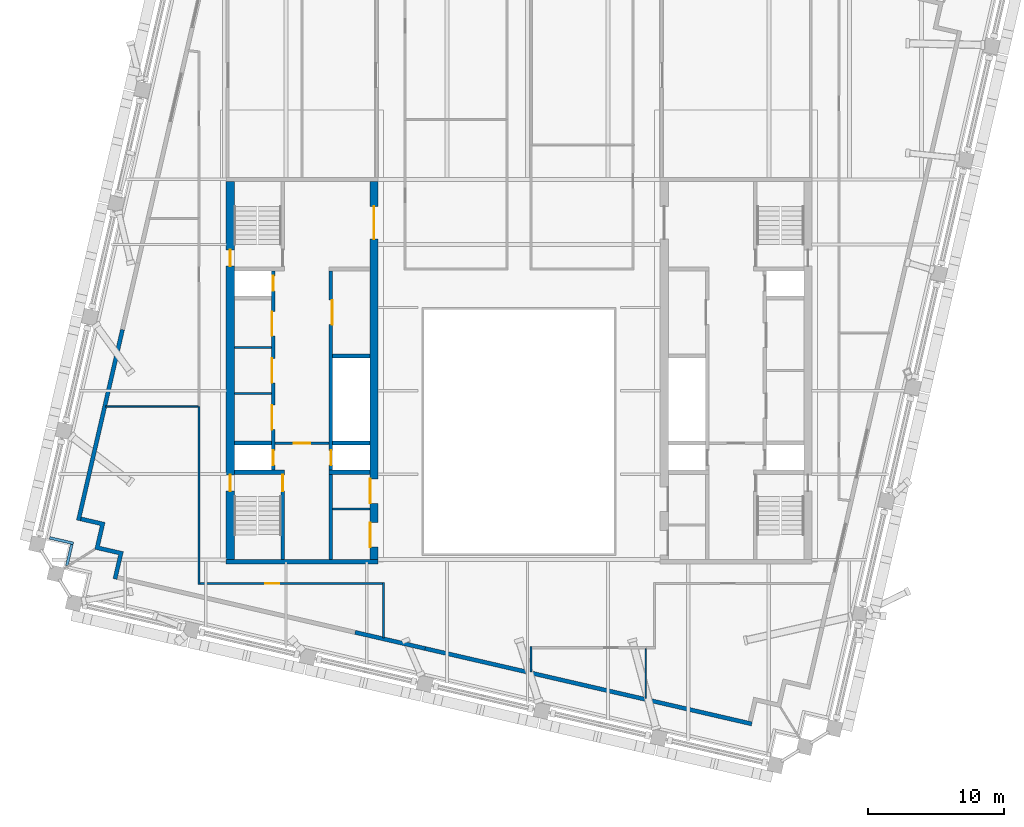
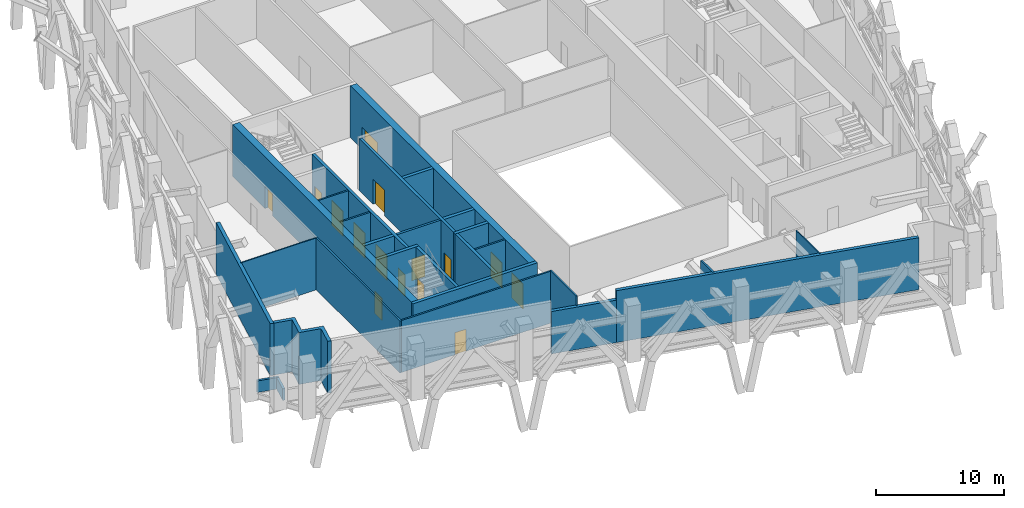
# One storey, part 6 of 19: 27 walls, 15 doors, 15 openings.
"""IFC4 building model written with IfcOpenShell, lengths in metres."""

from ifc_helpers import new_model, si_unit, direction, frame, frame_2d, origin, place, context, subcontext, project, spatial, polyline, rectangle, outline, extrude, material, layer, layer_set, type_object, element, fill, save


model = new_model("IFC4")

# Units and contexts
model_context = context("Model", 3, precision=1e-05, world=origin(), true_north=direction((0.0, 1.0)))
body_context = subcontext(model_context, "Body", "Model", "MODEL_VIEW")
ifc_project = project(units=[si_unit("LENGTHUNIT", "METRE"), si_unit("AREAUNIT", "SQUARE_METRE"), si_unit("VOLUMEUNIT", "CUBIC_METRE"), si_unit("PLANEANGLEUNIT", "RADIAN"), si_unit("MASSUNIT", "GRAM", prefix="KILO")], contexts=[model_context])

# Site, building, storey
site_placement = place(None, origin())
site = spatial("IfcSite", under=ifc_project, at=site_placement, CompositionType="ELEMENT")
building_placement = place(site_placement, origin())
building = spatial("IfcBuilding", under=site, at=building_placement, Name="Ogive Exchange Tower", CompositionType="ELEMENT")
storey_placement = place(building_placement, frame((0.0, 0.0, 297.60009765625)))
storey = spatial("IfcBuildingStorey", under=building, at=storey_placement, Name="L65", CompositionType="ELEMENT", Elevation=297.60009765625)

# Walls
ifc_material_1 = material(Name="Gypsum board partition")
ifc_layer_1 = layer(ifc_material_1, 0.14990234375)
ifc_layer_set_1 = layer_set([ifc_layer_1], Name="Core room partition 150 gypsum")
wall_type_1 = type_object("IfcWallType", Name="Core room partition 150 gypsum", PredefinedType="PARTITIONING", material=ifc_layer_set_1)
for number, where, z_axis, x_axis, name in (
    (1, (-21.0, 9.800048828125, 0.0), (0.0, 0.0, 1.0), (1.0, 0.0, 0.0), "W row A bay partition 1-1"),
    (2, (-21.0, 13.199951171875, 0.0), (0.0, 0.0, 1.0), (1.0, 0.0, 0.0), "W row A bay partition 1-2"),
    (3, (-13.75, 1.300048828125, 0.0), (0.0, 0.0, 1.0), (1.0, 0.0, 0.0), "W south room partition"),
):
    element("IfcWall", number, at=place(storey_placement, frame(where, z_axis=z_axis, x_axis=x_axis)), inside=storey, type_object=wall_type_1, Name=name, PredefinedType="PARTITIONING", context=body_context, shape_type="SweptSolid", body=[
        extrude(rectangle(XDim=2.75, YDim=0.14990234375, at=frame_2d((1.375, 0.0))), origin(), (0.0, 0.0, 1.0), 4.949951171875),
    ])
ifc_material_2 = material(Name="Fire partition EI 60 150")
ifc_layer_2 = layer(ifc_material_2, 0.14990234375)
ifc_layer_set_2 = layer_set([ifc_layer_2], Name="Fire partition EI 60 150")
wall_type_2 = type_object("IfcWallType", Name="Fire partition EI 60 150", PredefinedType="PARTITIONING", material=ifc_layer_set_2)
wall_1_placement = place(storey_placement, frame((-23.60009765625, -4.27490234375, 0.0), z_axis=(0.0, 0.0, 1.0), x_axis=(0.0, 1.0, 0.0)))
element("IfcWall", 4, at=wall_1_placement, inside=storey, type_object=wall_type_2, Name="L65-PWL-001", PredefinedType="PARTITIONING", context=body_context, shape_type="SweptSolid", body=[
    extrude(rectangle(XDim=13.135009765625, YDim=0.14990234375, at=frame_2d((6.5673828125, 0.0))), origin(), (0.0, 0.0, 1.0), 4.949951171875),
])
wall_2_placement = place(storey_placement, frame((-10.0, -8.216064453125, 0.0), z_axis=(0.0, 0.0, 1.0), x_axis=(0.0, 1.0, 0.0)))
element("IfcWall", 5, at=wall_2_placement, inside=storey, type_object=wall_type_2, Name="L65-PWL-008", PredefinedType="PARTITIONING", context=body_context, shape_type="SweptSolid", body=[
    extrude(rectangle(XDim=4.091064453125, YDim=0.14990234375, at=frame_2d((2.04541015625, 0.0))), origin(), (0.0, 0.0, 1.0), 4.949951171875),
])

# Wall, opening, door
wall_3_placement = place(storey_placement, frame((-10.074951171875, -4.199951171875, 0.0), z_axis=(0.0, 0.0, 1.0), x_axis=(-1.0, 0.0, 0.0)))
wall_3 = element("IfcWall", 6, at=wall_3_placement, inside=storey, type_object=wall_type_2, Name="L65-PWL-009", PredefinedType="PARTITIONING", context=body_context, shape_type="SweptSolid", body=[
    extrude(rectangle(XDim=13.449951171875, YDim=0.14990234375, at=frame_2d((6.72509765625, 0.0))), origin(), (0.0, 0.0, 1.0), 4.949951171875),
])
opening_1_placement = place(wall_3_placement, frame((7.625, 0.0, 0.0)))
opening_1 = element("IfcOpeningElement", 7, at=opening_1_placement, cuts=wall_3, Name="Opening L65-I07", PredefinedType="OPENING", context=body_context, shape_type="SweptSolid", body=[
    extrude(rectangle(XDim=1.0, YDim=2.10009765625, at=frame_2d((0.5, 1.050048828125))), frame((0.0, 0.0849609375, 0.0), z_axis=(0.0, -1.0, 0.0), x_axis=(1.0, 0.0, 0.0)), (0.0, 0.0, 1.0), 0.169921875),
])
ifc_material_3 = material(Name="Fire door FD 30S 1000 x 2100")
door_type_1 = type_object("IfcDoorType", Name="Fire door FD 30S 1000 x 2100", OperationType="NOTDEFINED", PredefinedType="DOOR", material=ifc_material_3)
door_1_placement = place(opening_1_placement, origin())
door_1 = element("IfcDoor", 8, at=door_1_placement, inside=storey, type_object=door_type_1, Name="L65-IDR-007", ObjectType="DT3", OperationType="SINGLE_SWING_LEFT", OverallHeight=2.10009765625, OverallWidth=1.0, PredefinedType="DOOR", context=body_context, shape_type="SweptSolid", body=[
    extrude(rectangle(XDim=1.0, YDim=2.10009765625, at=frame_2d((0.5, 1.050048828125))), frame((0.0, 0.02490234375, 0.0), z_axis=(0.0, -1.0, 0.0), x_axis=(1.0, 0.0, 0.0)), (0.0, 0.0, 1.0), 0.050048828125),
])
fill(opening_1, door_1)

# Walls
wall_4_placement = place(storey_placement, frame((0.8798828125, -8.864990234375, 0.0), z_axis=(0.0, 0.0, 1.0), x_axis=(0.0, -1.0, 0.0)))
element("IfcWall", 9, at=wall_4_placement, inside=storey, type_object=wall_type_2, Name="L65-PWL-023", PredefinedType="PARTITIONING", context=body_context, shape_type="SweptSolid", body=[
    extrude(rectangle(XDim=1.863037109375, YDim=0.14990234375, at=frame_2d((0.931640625, 0.0))), origin(), (0.0, 0.0, 1.0), 4.949951171875),
])
ifc_material_4 = material(Name="Precast concrete C40/50", Category="concrete")
ifc_layer_3 = layer(ifc_material_4, 0.300048828125)
ifc_layer_set_3 = layer_set([ifc_layer_3], Name="Limestone-faced wall 300")
wall_type_3 = type_object("IfcWallType", Name="Limestone-faced wall 300", PredefinedType="STANDARD", material=ifc_layer_set_3)
wall_5_placement = place(storey_placement, origin())
element("IfcWall", 10, at=wall_5_placement, inside=storey, type_object=wall_type_3, Name="External corner wall C4", PredefinedType="STANDARD", context=body_context, shape_type="SweptSolid", body=[
    extrude(outline(polyline([(-31.291015625, -1.67822265625), (-30.88623046875, 0.07568359375), (-32.34765625, 0.4130859375), (-32.2802734375, 0.705322265625), (-30.5263671875, 0.300537109375), (-30.931396484375, -1.453369140625), (-29.177490234375, -1.8583984375), (-29.64990234375, -3.904541015625), (-29.942138671875, -3.8369140625), (-29.537109375, -2.0830078125), (-31.291015625, -1.67822265625)])), origin(), (0.0, 0.0, 1.0), 4.949951171875),
])
wall_6_placement = place(storey_placement, frame((-12.093017578125, -7.8037109375, 0.0), z_axis=(0.0, 0.0, 1.0), x_axis=(0.974367901354, -0.224960424989, 0.0)))
element("IfcWall", 11, at=wall_6_placement, inside=storey, type_object=wall_type_3, Name="External wall S1", PredefinedType="STANDARD", context=body_context, shape_type="SweptSolid", body=[
    extrude(rectangle(XDim=5.30029296875, YDim=0.300048828125, at=frame_2d((2.650146484375, 0.0))), origin(), (0.0, 0.0, 1.0), 4.0498046875),
])
wall_7_placement = place(storey_placement, frame((-6.928466796875, -8.99609375, 0.0), z_axis=(0.0, 0.0, 1.0), x_axis=(0.974370214698, -0.224950404997, 0.0)))
element("IfcWall", 12, at=wall_7_placement, inside=storey, type_object=wall_type_3, Name="External wall S1", PredefinedType="STANDARD", context=body_context, shape_type="SweptSolid", body=[
    extrude(rectangle(XDim=24.7158203125, YDim=0.300048828125, at=frame_2d((12.35791015625, 0.0))), origin(), (0.0, 0.0, 1.0), 4.949951171875),
])
wall_8_placement = place(storey_placement, frame((-29.24609375, 14.514404296875, 0.0), z_axis=(0.0, 0.0, 1.0), x_axis=(-0.224953365503, -0.974369531209, 0.0)))
element("IfcWall", 13, at=wall_8_placement, inside=storey, type_object=wall_type_3, Name="External wall W4", PredefinedType="STANDARD", context=body_context, shape_type="SweptSolid", body=[
    extrude(rectangle(XDim=14.437744140625, YDim=0.300048828125, at=frame_2d((7.21875, 0.0))), origin(), (0.0, 0.0, 1.0), 4.949951171875),
])
ifc_material_5 = material(Name="Partition 100 gypsum")
ifc_layer_4 = layer(ifc_material_5, 0.10009765625)
ifc_layer_set_4 = layer_set([ifc_layer_4], Name="Partition 100 gypsum")
wall_type_4 = type_object("IfcWallType", Name="Partition 100 gypsum", PredefinedType="PARTITIONING", material=ifc_layer_set_4)
wall_9_placement = place(storey_placement, frame((-23.675048828125, 8.860107421875, 0.0), z_axis=(0.0, 0.0, 1.0), x_axis=(-1.0, 0.0, 0.0)))
element("IfcWall", 14, at=wall_9_placement, inside=storey, type_object=wall_type_4, Name="L65-PWL-002", PredefinedType="PARTITIONING", context=body_context, shape_type="SweptSolid", body=[
    extrude(rectangle(XDim=6.804931640625, YDim=0.10009765625, at=frame_2d((3.40234375, 0.0))), origin(), (0.0, 0.0, 1.0), 4.949951171875),
])
wall_10_placement = place(storey_placement, frame((9.340087890625, -9.014892578125, 0.0), z_axis=(0.0, 0.0, 1.0), x_axis=(0.0, -1.0, 0.0)))
element("IfcWall", 15, at=wall_10_placement, inside=storey, type_object=wall_type_4, Name="L65-PWL-032", PredefinedType="PARTITIONING", context=body_context, shape_type="SweptSolid", body=[
    extrude(rectangle(XDim=3.666015625, YDim=0.10009765625, at=frame_2d((1.8330078125, 0.0))), origin(), (0.0, 0.0, 1.0), 4.949951171875),
])
ifc_layer_5 = layer(ifc_material_4, 0.199951171875)
ifc_layer_set_5 = layer_set([ifc_layer_5], Name="Plant deck parapet 200")
wall_type_5 = type_object("IfcWallType", Name="Plant deck parapet 200", PredefinedType="STANDARD", material=ifc_layer_set_5)
wall_11_placement = place(storey_placement, frame((-34.617431640625, -0.83837890625, -0.050048828125), z_axis=(0.0, 0.0, 1.0), x_axis=(0.974356896201, -0.225008086135, 0.0)))
element("IfcWall", 16, at=wall_11_placement, inside=storey, type_object=wall_type_5, Name="Plant deck parapet 17", PredefinedType="STANDARD", context=body_context, shape_type="SweptSolid", body=[
    extrude(rectangle(XDim=1.800048828125, YDim=0.199951171875, at=frame_2d((0.89990234375, 0.0))), origin(), (0.0, 0.0, 1.0), 1.099853515625),
])
wall_12_placement = place(storey_placement, frame((-32.9833984375, -1.318359375, -0.050048828125), z_axis=(0.0, 0.0, 1.0), x_axis=(-0.22502584423, -0.974352795156, 0.0)))
element("IfcWall", 17, at=wall_12_placement, inside=storey, type_object=wall_type_5, Name="Plant deck parapet 18", PredefinedType="STANDARD", context=body_context, shape_type="SweptSolid", body=[
    extrude(rectangle(XDim=1.60791015625, YDim=0.199951171875, at=frame_2d((0.803955078125, 0.0))), origin(), (0.0, 0.0, 1.0), 1.099853515625),
])

# Wall, opening, door
ifc_material_6 = material(Name="Concrete C70/85", Category="concrete")
ifc_layer_6 = layer(ifc_material_6, 0.199951171875)
ifc_layer_set_6 = layer_set([ifc_layer_6], Name="RC core wall 200 C70/85")
wall_type_6 = type_object("IfcWallType", Name="RC core wall 200 C70/85", PredefinedType="SHEAR", material=ifc_layer_set_6)
wall_13_placement = place(storey_placement, frame((-18.0, 6.142822265625, 0.0), z_axis=(0.0, 0.0, 1.0), x_axis=(1.0, 0.0, 0.0)))
wall_13 = element("IfcWall", 18, at=wall_13_placement, inside=storey, type_object=wall_type_6, Name="W firefighting lobby wall", PredefinedType="SHEAR", context=body_context, shape_type="SweptSolid", body=[
    extrude(rectangle(XDim=4.0, YDim=0.199951171875, at=frame_2d((2.0, 0.0))), origin(), (0.0, 0.0, 1.0), 4.949951171875),
])
opening_2_placement = place(wall_13_placement, frame((1.39990234375, 0.0, 0.0)))
opening_2 = element("IfcOpeningElement", 19, at=opening_2_placement, cuts=wall_13, Name="Opening L65-C08", PredefinedType="OPENING", context=body_context, shape_type="SweptSolid", body=[
    extrude(rectangle(XDim=1.199951171875, YDim=2.10009765625, at=frame_2d((0.60009765625, 1.050048828125))), frame((0.0, 0.10986328125, 0.0), z_axis=(0.0, -1.0, 0.0), x_axis=(1.0, 0.0, 0.0)), (0.0, 0.0, 1.0), 0.219970703125),
])
ifc_material_7 = material(Name="Steel fire door", Category="steel")
door_type_2 = type_object("IfcDoorType", Name="Firefighting lobby door FD60 1200 x 2100", OperationType="NOTDEFINED", PredefinedType="DOOR", material=ifc_material_7)
door_2_placement = place(opening_2_placement, frame((1.199951171875, 0.0, 0.0), z_axis=(0.0, 0.0, 1.0), x_axis=(-1.0, 0.0, 0.0)))
door_2 = element("IfcDoor", 20, at=door_2_placement, inside=storey, type_object=door_type_2, Name="Firefighting lobby door", ObjectType="CD3", OperationType="SINGLE_SWING_LEFT", OverallHeight=2.10009765625, OverallWidth=1.199951171875, PredefinedType="DOOR", context=body_context, shape_type="SweptSolid", body=[
    extrude(rectangle(XDim=1.199951171875, YDim=2.10009765625, at=frame_2d((0.60009765625, 1.050048828125))), frame((0.0, 0.02490234375, 0.0), z_axis=(0.0, -1.0, 0.0), x_axis=(1.0, 0.0, 0.0)), (0.0, 0.0, 1.0), 0.050048828125),
])
fill(opening_2, door_2)

ifc_layer_7 = layer(ifc_material_6, 0.25)
ifc_layer_set_7 = layer_set([ifc_layer_7], Name="RC core wall 250 C70/85")
wall_type_7 = type_object("IfcWallType", Name="RC core wall 250 C70/85", PredefinedType="SHEAR", material=ifc_layer_set_7)
wall_14_placement = place(storey_placement, frame((-17.425048828125, -2.449951171875, 0.0), z_axis=(0.0, 0.0, 1.0), x_axis=(0.0, 1.0, 0.0)))
wall_14 = element("IfcWall", 21, at=wall_14_placement, inside=storey, type_object=wall_type_7, Name="W stair S front wall", PredefinedType="SHEAR", context=body_context, shape_type="SweptSolid", body=[
    extrude(rectangle(XDim=6.300048828125, YDim=0.25, at=frame_2d((3.14990234375, 0.0))), origin(), (0.0, 0.0, 1.0), 4.949951171875),
])
opening_3_placement = place(wall_14_placement, frame((5.050048828125, 0.0, 0.0)))
opening_3 = element("IfcOpeningElement", 22, at=opening_3_placement, cuts=wall_14, Name="Opening L65-C10", PredefinedType="OPENING", context=body_context, shape_type="SweptSolid", body=[
    extrude(rectangle(XDim=1.199951171875, YDim=2.10009765625, at=frame_2d((0.60009765625, 1.050048828125))), frame((0.0, 0.135009765625, 0.0), z_axis=(0.0, -1.0, 0.0), x_axis=(1.0, 0.0, 0.0)), (0.0, 0.0, 1.0), 0.27001953125),
])
door_type_3 = type_object("IfcDoorType", Name="Stair door FD90 1200 x 2100", OperationType="NOTDEFINED", PredefinedType="DOOR", material=ifc_material_7)
door_3_placement = place(opening_3_placement, origin())
door_3 = element("IfcDoor", 23, at=door_3_placement, inside=storey, type_object=door_type_3, Name="Stair door", ObjectType="CD5", OperationType="SINGLE_SWING_LEFT", OverallHeight=2.10009765625, OverallWidth=1.199951171875, PredefinedType="DOOR", context=body_context, shape_type="SweptSolid", body=[
    extrude(rectangle(XDim=1.199951171875, YDim=2.10009765625, at=frame_2d((0.60009765625, 1.050048828125))), frame((0.0, 0.02490234375, 0.0), z_axis=(0.0, -1.0, 0.0), x_axis=(1.0, 0.0, 0.0)), (0.0, 0.0, 1.0), 0.050048828125),
])
fill(opening_3, door_3)

# Wall, openings, doors
wall_15_placement = place(storey_placement, frame((-18.125, 4.14990234375, 0.0), z_axis=(0.0, 0.0, 1.0), x_axis=(0.0, 1.0, 0.0)))
wall_15 = element("IfcWall", 24, at=wall_15_placement, inside=storey, type_object=wall_type_7, Name="W row A front wall", PredefinedType="SHEAR", context=body_context, shape_type="SweptSolid", body=[
    extrude(rectangle(XDim=14.7001953125, YDim=0.25, at=frame_2d((7.35009765625, 0.0))), origin(), (0.0, 0.0, 1.0), 4.949951171875),
])
opening_4_placement = place(wall_15_placement, frame((2.996337890625, 0.0, 0.0)))
opening_4 = element("IfcOpeningElement", 25, at=opening_4_placement, cuts=wall_15, Name="Opening L65-C01", PredefinedType="OPENING", context=body_context, shape_type="SweptSolid", body=[
    extrude(rectangle(XDim=1.800048828125, YDim=2.39990234375, at=frame_2d((0.89990234375, 1.199951171875))), frame((0.0, 0.135009765625, 0.0), z_axis=(0.0, -1.0, 0.0), x_axis=(1.0, 0.0, 0.0)), (0.0, 0.0, 1.0), 0.27001953125),
])
opening_5_placement = place(wall_15_placement, frame((6.449951171875, 0.0, 0.0)))
opening_5 = element("IfcOpeningElement", 26, at=opening_5_placement, cuts=wall_15, Name="Opening L65-C02", PredefinedType="OPENING", context=body_context, shape_type="SweptSolid", body=[
    extrude(rectangle(XDim=1.800048828125, YDim=2.39990234375, at=frame_2d((0.89990234375, 1.199951171875))), frame((0.0, 0.135009765625, 0.0), z_axis=(0.0, -1.0, 0.0), x_axis=(1.0, 0.0, 0.0)), (0.0, 0.0, 1.0), 0.27001953125),
])
opening_6_placement = place(wall_15_placement, frame((9.903564453125, 0.0, 0.0)))
opening_6 = element("IfcOpeningElement", 27, at=opening_6_placement, cuts=wall_15, Name="Opening L65-C03", PredefinedType="OPENING", context=body_context, shape_type="SweptSolid", body=[
    extrude(rectangle(XDim=1.800048828125, YDim=2.39990234375, at=frame_2d((0.89990234375, 1.199951171875))), frame((0.0, 0.135009765625, 0.0), z_axis=(0.0, -1.0, 0.0), x_axis=(1.0, 0.0, 0.0)), (0.0, 0.0, 1.0), 0.27001953125),
])
opening_7_placement = place(wall_15_placement, frame((0.371337890625, 0.0, 0.0)))
opening_7 = element("IfcOpeningElement", 28, at=opening_7_placement, cuts=wall_15, Name="Opening L65-C04", PredefinedType="OPENING", context=body_context, shape_type="SweptSolid", body=[
    extrude(rectangle(XDim=1.10009765625, YDim=2.10009765625, at=frame_2d((0.550048828125, 1.050048828125))), frame((0.0, 0.135009765625, 0.0), z_axis=(0.0, -1.0, 0.0), x_axis=(1.0, 0.0, 0.0)), (0.0, 0.0, 1.0), 0.27001953125),
])
opening_8_placement = place(wall_15_placement, frame((13.228515625, 0.0, 0.0)))
opening_8 = element("IfcOpeningElement", 29, at=opening_8_placement, cuts=wall_15, Name="Opening L65-C05", PredefinedType="OPENING", context=body_context, shape_type="SweptSolid", body=[
    extrude(rectangle(XDim=1.10009765625, YDim=2.10009765625, at=frame_2d((0.550048828125, 1.050048828125))), frame((0.0, 0.135009765625, 0.0), z_axis=(0.0, -1.0, 0.0), x_axis=(1.0, 0.0, 0.0)), (0.0, 0.0, 1.0), 0.27001953125),
])
ifc_material_8 = material(Name="Stainless steel", Category="steel")
door_type_4 = type_object("IfcDoorType", Name="Lift landing door FD90 1100 x 2100", OperationType="SLIDING_TO_LEFT", PredefinedType="DOOR", material=ifc_material_8)
door_4_placement = place(opening_7_placement, origin())
door_4 = element("IfcDoor", 30, at=door_4_placement, inside=storey, type_object=door_type_4, Name="Lift landing door FF1", ObjectType="LD", OperationType="SLIDING_TO_LEFT", OverallHeight=2.10009765625, OverallWidth=1.10009765625, PredefinedType="DOOR", context=body_context, shape_type="SweptSolid", body=[
    extrude(rectangle(XDim=1.10009765625, YDim=2.10009765625, at=frame_2d((0.550048828125, 1.050048828125))), frame((0.0, 0.02490234375, 0.0), z_axis=(0.0, -1.0, 0.0), x_axis=(1.0, 0.0, 0.0)), (0.0, 0.0, 1.0), 0.050048828125),
])
fill(opening_7, door_4)
door_5_placement = place(opening_8_placement, origin())
door_5 = element("IfcDoor", 31, at=door_5_placement, inside=storey, type_object=door_type_4, Name="Lift landing door W-SH2", ObjectType="LD", OperationType="SLIDING_TO_LEFT", OverallHeight=2.10009765625, OverallWidth=1.10009765625, PredefinedType="DOOR", context=body_context, shape_type="SweptSolid", body=[
    extrude(rectangle(XDim=1.10009765625, YDim=2.10009765625, at=frame_2d((0.550048828125, 1.050048828125))), frame((0.0, 0.02490234375, 0.0), z_axis=(0.0, -1.0, 0.0), x_axis=(1.0, 0.0, 0.0)), (0.0, 0.0, 1.0), 0.050048828125),
])
fill(opening_8, door_5)
door_type_5 = type_object("IfcDoorType", Name="Plant room door FD60 1800 x 2400", OperationType="DOUBLE_DOOR_SINGLE_SWING", PredefinedType="DOOR", material=ifc_material_7)
door_6_placement = place(opening_4_placement, origin())
door_6 = element("IfcDoor", 32, at=door_6_placement, inside=storey, type_object=door_type_5, Name="Plant room door", ObjectType="CD1", OperationType="DOUBLE_DOOR_SINGLE_SWING", OverallHeight=2.39990234375, OverallWidth=1.800048828125, PredefinedType="DOOR", context=body_context, shape_type="SweptSolid", body=[
    extrude(rectangle(XDim=1.800048828125, YDim=2.39990234375, at=frame_2d((0.89990234375, 1.199951171875))), frame((0.0, 0.125, 0.0), z_axis=(0.0, -1.0, 0.0), x_axis=(1.0, 0.0, 0.0)), (0.0, 0.0, 1.0), 0.050048828125),
])
fill(opening_4, door_6)
door_7_placement = place(opening_5_placement, origin())
door_7 = element("IfcDoor", 33, at=door_7_placement, inside=storey, type_object=door_type_5, Name="Plant room door", ObjectType="CD1", OperationType="DOUBLE_DOOR_SINGLE_SWING", OverallHeight=2.39990234375, OverallWidth=1.800048828125, PredefinedType="DOOR", context=body_context, shape_type="SweptSolid", body=[
    extrude(rectangle(XDim=1.800048828125, YDim=2.39990234375, at=frame_2d((0.89990234375, 1.199951171875))), frame((0.0, 0.125, 0.0), z_axis=(0.0, -1.0, 0.0), x_axis=(1.0, 0.0, 0.0)), (0.0, 0.0, 1.0), 0.050048828125),
])
fill(opening_5, door_7)
door_8_placement = place(opening_6_placement, origin())
door_8 = element("IfcDoor", 34, at=door_8_placement, inside=storey, type_object=door_type_5, Name="Plant room door", ObjectType="CD1", OperationType="DOUBLE_DOOR_SINGLE_SWING", OverallHeight=2.39990234375, OverallWidth=1.800048828125, PredefinedType="DOOR", context=body_context, shape_type="SweptSolid", body=[
    extrude(rectangle(XDim=1.800048828125, YDim=2.39990234375, at=frame_2d((0.89990234375, 1.199951171875))), frame((0.0, 0.125, 0.0), z_axis=(0.0, -1.0, 0.0), x_axis=(1.0, 0.0, 0.0)), (0.0, 0.0, 1.0), 0.050048828125),
])
fill(opening_6, door_8)

wall_16_placement = place(storey_placement, frame((-13.875, -2.449951171875, 0.0), z_axis=(0.0, 0.0, 1.0), x_axis=(0.0, 1.0, 0.0)))
wall_16 = element("IfcWall", 35, at=wall_16_placement, inside=storey, type_object=wall_type_7, Name="W row B front wall", PredefinedType="SHEAR", context=body_context, shape_type="SweptSolid", body=[
    extrude(rectangle(XDim=21.300048828125, YDim=0.25, at=frame_2d((10.64990234375, 0.0))), origin(), (0.0, 0.0, 1.0), 4.949951171875),
])
opening_9_placement = place(wall_16_placement, frame((17.335693359375, 0.0, 0.0)))
opening_9 = element("IfcOpeningElement", 36, at=opening_9_placement, cuts=wall_16, Name="Opening L65-C06", PredefinedType="OPENING", context=body_context, shape_type="SweptSolid", body=[
    extrude(rectangle(XDim=1.800048828125, YDim=2.39990234375, at=frame_2d((0.89990234375, 1.199951171875))), frame((0.0, 0.135009765625, 0.0), z_axis=(0.0, -1.0, 0.0), x_axis=(1.0, 0.0, 0.0)), (0.0, 0.0, 1.0), 0.27001953125),
])
opening_10_placement = place(wall_16_placement, frame((6.971435546875, 0.0, 0.0)))
opening_10 = element("IfcOpeningElement", 37, at=opening_10_placement, cuts=wall_16, Name="Opening L65-C07", PredefinedType="OPENING", context=body_context, shape_type="SweptSolid", body=[
    extrude(rectangle(XDim=1.10009765625, YDim=2.10009765625, at=frame_2d((0.550048828125, 1.050048828125))), frame((0.0, 0.135009765625, 0.0), z_axis=(0.0, -1.0, 0.0), x_axis=(1.0, 0.0, 0.0)), (0.0, 0.0, 1.0), 0.27001953125),
])
door_9_placement = place(opening_10_placement, origin())
door_9 = element("IfcDoor", 38, at=door_9_placement, inside=storey, type_object=door_type_4, Name="Lift landing door SV1", ObjectType="LD", OperationType="SLIDING_TO_LEFT", OverallHeight=2.10009765625, OverallWidth=1.10009765625, PredefinedType="DOOR", context=body_context, shape_type="SweptSolid", body=[
    extrude(rectangle(XDim=1.10009765625, YDim=2.10009765625, at=frame_2d((0.550048828125, 1.050048828125))), frame((0.0, 0.02490234375, 0.0), z_axis=(0.0, -1.0, 0.0), x_axis=(1.0, 0.0, 0.0)), (0.0, 0.0, 1.0), 0.050048828125),
])
fill(opening_10, door_9)
door_10_placement = place(opening_9_placement, frame((1.800048828125, -0.2001953125, 0.0), z_axis=(0.0, 0.0, 1.0), x_axis=(-1.0, 0.0, 0.0)))
door_10 = element("IfcDoor", 39, at=door_10_placement, inside=storey, type_object=door_type_5, Name="Plant room door", ObjectType="CD1", OperationType="DOUBLE_DOOR_SINGLE_SWING", OverallHeight=2.39990234375, OverallWidth=1.800048828125, PredefinedType="DOOR", context=body_context, shape_type="SweptSolid", body=[
    extrude(rectangle(XDim=1.800048828125, YDim=2.39990234375, at=frame_2d((0.89990234375, 1.199951171875))), frame((0.0, -0.0751953125, 0.0), z_axis=(0.0, -1.0, 0.0), x_axis=(1.0, 0.0, 0.0)), (0.0, 0.0, 1.0), 0.050048828125),
])
fill(opening_9, door_10)

# Walls
ifc_layer_8 = layer(ifc_material_6, 0.300048828125)
ifc_layer_set_8 = layer_set([ifc_layer_8], Name="RC core wall 300 C70/85")
wall_type_8 = type_object("IfcWallType", Name="RC core wall 300 C70/85", PredefinedType="SHEAR", material=ifc_layer_set_8)
wall_17_placement = place(storey_placement, frame((-21.60009765625, -2.60009765625, 0.0), z_axis=(0.0, 0.0, 1.0), x_axis=(1.0, 0.0, 0.0)))
element("IfcWall", 40, at=wall_17_placement, inside=storey, type_object=wall_type_8, Name="W south end wall", PredefinedType="SHEAR", context=body_context, shape_type="SweptSolid", body=[
    extrude(rectangle(XDim=11.2001953125, YDim=0.300048828125, at=frame_2d((5.60009765625, 0.0))), origin(), (0.0, 0.0, 1.0), 4.949951171875),
])
wall_18_placement = place(storey_placement, frame((-21.0, 4.0, 0.0), z_axis=(0.0, 0.0, 1.0), x_axis=(1.0, 0.0, 0.0)))
element("IfcWall", 41, at=wall_18_placement, inside=storey, type_object=wall_type_8, Name="W stair S north wall", PredefinedType="SHEAR", context=body_context, shape_type="SweptSolid", body=[
    extrude(rectangle(XDim=3.699951171875, YDim=0.300048828125, at=frame_2d((1.85009765625, 0.0))), origin(), (0.0, 0.0, 1.0), 4.949951171875),
])
wall_19_placement = place(storey_placement, frame((-21.0, 6.142822265625, 0.0), z_axis=(0.0, 0.0, 1.0), x_axis=(1.0, 0.0, 0.0)))
element("IfcWall", 42, at=wall_19_placement, inside=storey, type_object=wall_type_8, Name="W row A divider 1", PredefinedType="SHEAR", context=body_context, shape_type="SweptSolid", body=[
    extrude(rectangle(XDim=2.75, YDim=0.300048828125, at=frame_2d((1.375, 0.0))), origin(), (0.0, 0.0, 1.0), 4.949951171875),
])
wall_20_placement = place(storey_placement, frame((-14.0, 4.0, 0.0), z_axis=(0.0, 0.0, 1.0), x_axis=(1.0, 0.0, 0.0)))
element("IfcWall", 43, at=wall_20_placement, inside=storey, type_object=wall_type_8, Name="W row B divider 0", PredefinedType="SHEAR", context=body_context, shape_type="SweptSolid", body=[
    extrude(rectangle(XDim=3.0, YDim=0.300048828125, at=frame_2d((1.5, 0.0))), origin(), (0.0, 0.0, 1.0), 4.949951171875),
])
for number, where, z_axis, x_axis, name in (
    (44, (-13.75, 6.142822265625, 0.0), (0.0, 0.0, 1.0), (1.0, 0.0, 0.0), "W row B divider 1"),
    (45, (-13.75, 12.5712890625, 0.0), (0.0, 0.0, 1.0), (1.0, 0.0, 0.0), "W row B divider 4"),
):
    element("IfcWall", number, at=place(storey_placement, frame(where, z_axis=z_axis, x_axis=x_axis)), inside=storey, type_object=wall_type_8, Name=name, PredefinedType="SHEAR", context=body_context, shape_type="SweptSolid", body=[
        extrude(rectangle(XDim=2.75, YDim=0.300048828125, at=frame_2d((1.375, 0.0))), origin(), (0.0, 0.0, 1.0), 4.949951171875),
    ])

# Wall, openings, doors
ifc_layer_9 = layer(ifc_material_6, 0.60009765625)
ifc_layer_set_9 = layer_set([ifc_layer_9], Name="RC core wall 600 C70/85")
wall_type_9 = type_object("IfcWallType", Name="RC core wall 600 C70/85", PredefinedType="SHEAR", material=ifc_layer_set_9)
wall_21_placement = place(storey_placement, frame((-21.300048828125, -2.449951171875, 0.0), z_axis=(0.0, 0.0, 1.0), x_axis=(0.0, 1.0, 0.0)))
wall_21 = element("IfcWall", 46, at=wall_21_placement, inside=storey, type_object=wall_type_9, Name="W outer wall", PredefinedType="SHEAR", context=body_context, shape_type="SweptSolid", body=[
    extrude(rectangle(XDim=27.89990234375, YDim=0.60009765625, at=frame_2d((13.949951171875, 0.0))), origin(), (0.0, 0.0, 1.0), 4.949951171875),
])
opening_11_placement = place(wall_21_placement, frame((5.050048828125, 0.0, 0.0)))
opening_11 = element("IfcOpeningElement", 47, at=opening_11_placement, cuts=wall_21, Name="Opening L65-C11", PredefinedType="OPENING", context=body_context, shape_type="SweptSolid", body=[
    extrude(rectangle(XDim=1.199951171875, YDim=2.10009765625, at=frame_2d((0.60009765625, 1.050048828125))), frame((0.0, 0.31005859375, 0.0), z_axis=(0.0, -1.0, 0.0), x_axis=(1.0, 0.0, 0.0)), (0.0, 0.0, 1.0), 0.6201171875),
])
opening_12_placement = place(wall_21_placement, frame((21.64990234375, 0.0, 0.0)))
opening_12 = element("IfcOpeningElement", 48, at=opening_12_placement, cuts=wall_21, Name="Opening L65-C13", PredefinedType="OPENING", context=body_context, shape_type="SweptSolid", body=[
    extrude(rectangle(XDim=1.199951171875, YDim=2.10009765625, at=frame_2d((0.60009765625, 1.050048828125))), frame((0.0, 0.31005859375, 0.0), z_axis=(0.0, -1.0, 0.0), x_axis=(1.0, 0.0, 0.0)), (0.0, 0.0, 1.0), 0.6201171875),
])
door_11_placement = place(opening_11_placement, origin())
door_11 = element("IfcDoor", 49, at=door_11_placement, inside=storey, type_object=door_type_3, Name="Stair door", ObjectType="CD5", OperationType="SINGLE_SWING_LEFT", OverallHeight=2.10009765625, OverallWidth=1.199951171875, PredefinedType="DOOR", context=body_context, shape_type="SweptSolid", body=[
    extrude(rectangle(XDim=1.199951171875, YDim=2.10009765625, at=frame_2d((0.60009765625, 1.050048828125))), frame((0.0, 0.02490234375, 0.0), z_axis=(0.0, -1.0, 0.0), x_axis=(1.0, 0.0, 0.0)), (0.0, 0.0, 1.0), 0.050048828125),
])
fill(opening_11, door_11)
door_12_placement = place(opening_12_placement, origin())
door_12 = element("IfcDoor", 50, at=door_12_placement, inside=storey, type_object=door_type_3, Name="Stair door", ObjectType="CD5", OperationType="SINGLE_SWING_LEFT", OverallHeight=2.10009765625, OverallWidth=1.199951171875, PredefinedType="DOOR", context=body_context, shape_type="SweptSolid", body=[
    extrude(rectangle(XDim=1.199951171875, YDim=2.10009765625, at=frame_2d((0.60009765625, 1.050048828125))), frame((0.0, 0.02490234375, 0.0), z_axis=(0.0, -1.0, 0.0), x_axis=(1.0, 0.0, 0.0)), (0.0, 0.0, 1.0), 0.050048828125),
])
fill(opening_12, door_12)

wall_22_placement = place(storey_placement, frame((-10.699951171875, -2.449951171875, 0.0), z_axis=(0.0, 0.0, 1.0), x_axis=(0.0, 1.0, 0.0)))
wall_22 = element("IfcWall", 51, at=wall_22_placement, inside=storey, type_object=wall_type_9, Name="W inner wall", PredefinedType="SHEAR", context=body_context, shape_type="SweptSolid", body=[
    extrude(rectangle(XDim=27.89990234375, YDim=0.60009765625, at=frame_2d((13.949951171875, 0.0))), origin(), (0.0, 0.0, 1.0), 4.949951171875),
])
opening_13_placement = place(wall_22_placement, frame((23.64990234375, 0.0, 0.0)))
opening_13 = element("IfcOpeningElement", 52, at=opening_13_placement, cuts=wall_22, Name="Opening L65-C09", PredefinedType="OPENING", context=body_context, shape_type="SweptSolid", body=[
    extrude(rectangle(XDim=2.39990234375, YDim=2.10009765625, at=frame_2d((1.199951171875, 1.050048828125))), frame((0.0, 0.31005859375, 0.0), z_axis=(0.0, -1.0, 0.0), x_axis=(1.0, 0.0, 0.0)), (0.0, 0.0, 1.0), 0.6201171875),
])
opening_14_placement = place(wall_22_placement, frame((0.9375, 0.0, 0.0)))
opening_14 = element("IfcOpeningElement", 53, at=opening_14_placement, cuts=wall_22, Name="Opening L65-C14", PredefinedType="OPENING", context=body_context, shape_type="SweptSolid", body=[
    extrude(rectangle(XDim=1.800048828125, YDim=2.39990234375, at=frame_2d((0.89990234375, 1.199951171875))), frame((0.0, 0.31005859375, 0.0), z_axis=(0.0, -1.0, 0.0), x_axis=(1.0, 0.0, 0.0)), (0.0, 0.0, 1.0), 0.6201171875),
])
opening_15_placement = place(wall_22_placement, frame((4.16259765625, 0.0, 0.0)))
opening_15 = element("IfcOpeningElement", 54, at=opening_15_placement, cuts=wall_22, Name="Opening L65-C15", PredefinedType="OPENING", context=body_context, shape_type="SweptSolid", body=[
    extrude(rectangle(XDim=1.800048828125, YDim=2.39990234375, at=frame_2d((0.89990234375, 1.199951171875))), frame((0.0, 0.31005859375, 0.0), z_axis=(0.0, -1.0, 0.0), x_axis=(1.0, 0.0, 0.0)), (0.0, 0.0, 1.0), 0.6201171875),
])
ifc_material_9 = material(Name="Glazed steel fire door", Category="steel")
door_type_6 = type_object("IfcDoorType", Name="Lift lobby double door FD60 2400 x 2100", OperationType="DOUBLE_DOOR_SINGLE_SWING", PredefinedType="DOOR", material=ifc_material_9)
door_13_placement = place(opening_13_placement, frame((2.39990234375, 0.0, 0.0), z_axis=(0.0, 0.0, 1.0), x_axis=(-1.0, 0.0, 0.0)))
door_13 = element("IfcDoor", 55, at=door_13_placement, inside=storey, type_object=door_type_6, Name="Lift lobby double door", ObjectType="CD4", OperationType="DOUBLE_DOOR_SINGLE_SWING", OverallHeight=2.10009765625, OverallWidth=2.39990234375, PredefinedType="DOOR", context=body_context, shape_type="SweptSolid", body=[
    extrude(rectangle(XDim=2.39990234375, YDim=2.10009765625, at=frame_2d((1.199951171875, 1.050048828125))), frame((0.0, 0.02490234375, 0.0), z_axis=(0.0, -1.0, 0.0), x_axis=(1.0, 0.0, 0.0)), (0.0, 0.0, 1.0), 0.050048828125),
])
fill(opening_13, door_13)
door_14_placement = place(opening_14_placement, frame((1.800048828125, 0.5498046875, 0.0), z_axis=(0.0, 0.0, 1.0), x_axis=(-1.0, 0.0, 0.0)))
door_14 = element("IfcDoor", 56, at=door_14_placement, inside=storey, type_object=door_type_5, Name="Plant room door", ObjectType="CD1", OperationType="DOUBLE_DOOR_SINGLE_SWING", OverallHeight=2.39990234375, OverallWidth=1.800048828125, PredefinedType="DOOR", context=body_context, shape_type="SweptSolid", body=[
    extrude(rectangle(XDim=1.800048828125, YDim=2.39990234375, at=frame_2d((0.89990234375, 1.199951171875))), frame((0.0, 0.2998046875, 0.0), z_axis=(0.0, -1.0, 0.0), x_axis=(1.0, 0.0, 0.0)), (0.0, 0.0, 1.0), 0.050048828125),
])
fill(opening_14, door_14)
door_15_placement = place(opening_15_placement, frame((1.800048828125, 0.5498046875, 0.0), z_axis=(0.0, 0.0, 1.0), x_axis=(-1.0, 0.0, 0.0)))
door_15 = element("IfcDoor", 57, at=door_15_placement, inside=storey, type_object=door_type_5, Name="Plant room door", ObjectType="CD1", OperationType="DOUBLE_DOOR_SINGLE_SWING", OverallHeight=2.39990234375, OverallWidth=1.800048828125, PredefinedType="DOOR", context=body_context, shape_type="SweptSolid", body=[
    extrude(rectangle(XDim=1.800048828125, YDim=2.39990234375, at=frame_2d((0.89990234375, 1.199951171875))), frame((0.0, 0.2998046875, 0.0), z_axis=(0.0, -1.0, 0.0), x_axis=(1.0, 0.0, 0.0)), (0.0, 0.0, 1.0), 0.050048828125),
])
fill(opening_15, door_15)

save(model, "model.ifc")
